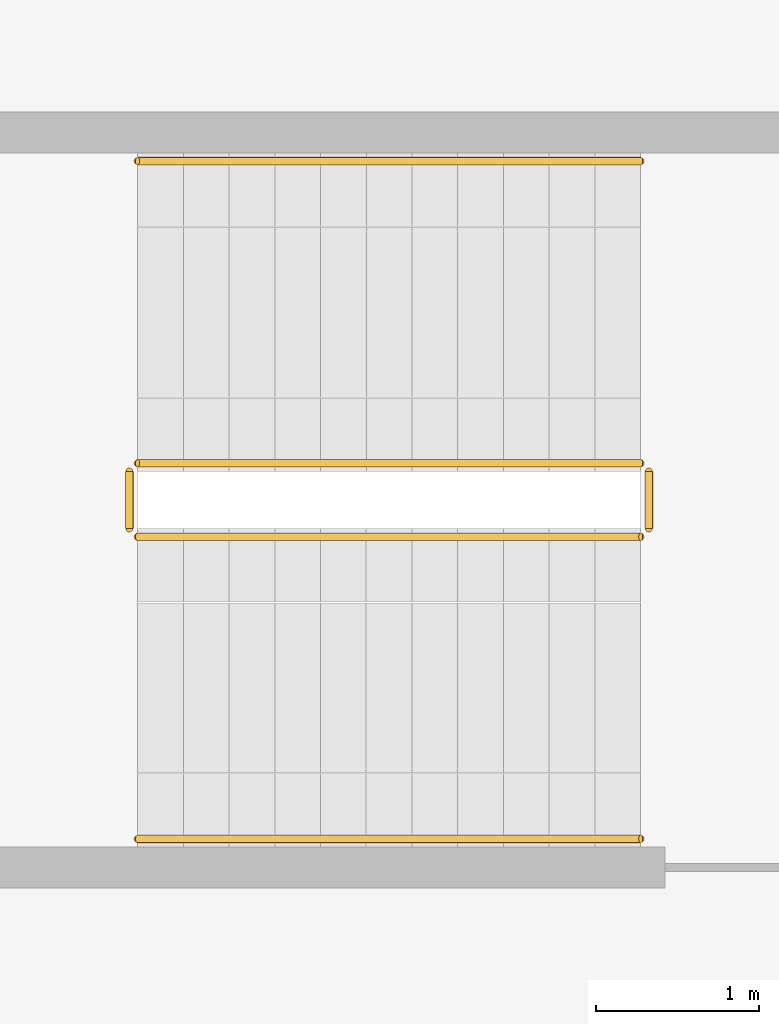
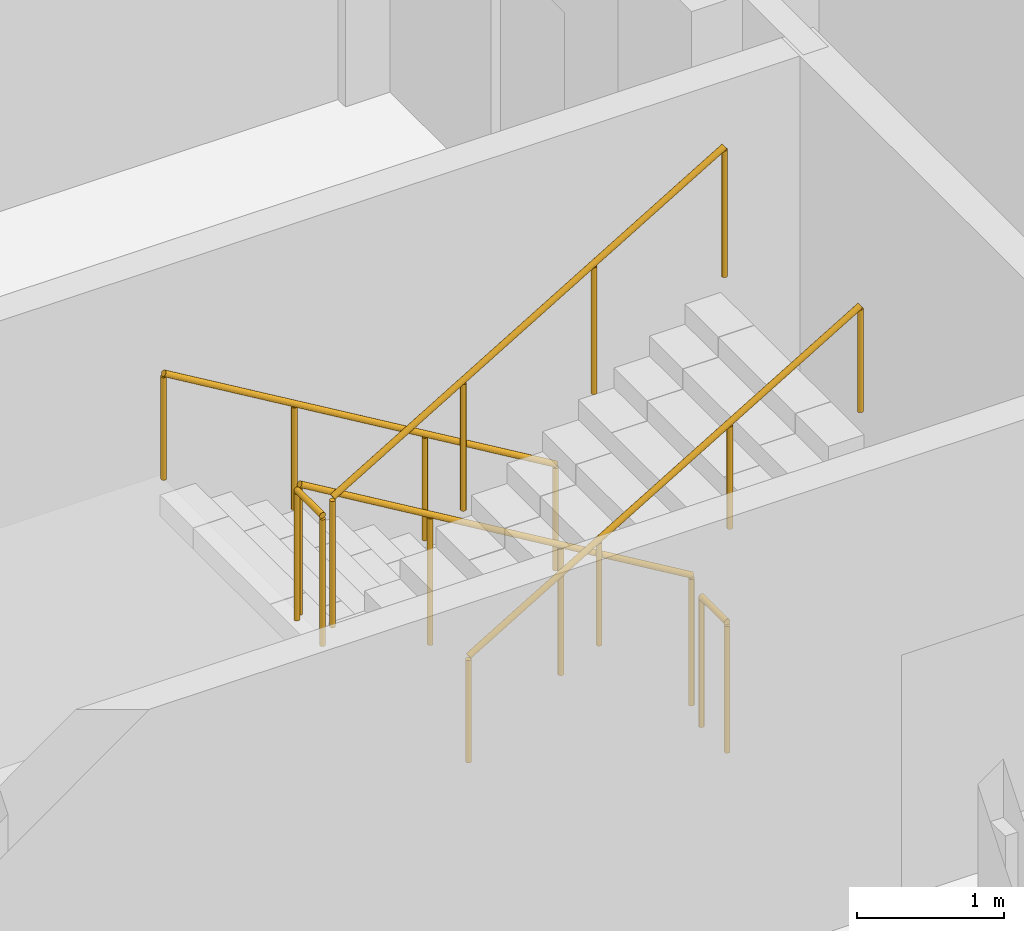
# One storey, part 15 of 15: 1 railing.
"""IFC4 building model written with IfcOpenShell, lengths in metres."""

from ifc_helpers import new_model, si_unit, direction, frame, origin, origin_2d, place, context, subcontext, project, spatial, circle, extrude, material, type_object, element, save


model = new_model("IFC4")

# Units and contexts
model_context = context("Model", 3, precision=1e-05, world=origin(), true_north=direction((0.0, 1.0)))
body_context = subcontext(model_context, "Body", "Model", "MODEL_VIEW")
ifc_project = project(units=[si_unit("LENGTHUNIT", "METRE"), si_unit("AREAUNIT", "SQUARE_METRE"), si_unit("VOLUMEUNIT", "CUBIC_METRE"), si_unit("PLANEANGLEUNIT", "RADIAN"), si_unit("MASSUNIT", "GRAM", prefix="KILO")], contexts=[model_context])

# Site, building, storey
site_placement = place(None, origin())
site = spatial("IfcSite", under=ifc_project, at=site_placement, CompositionType="ELEMENT")
building_placement = place(site_placement, origin())
building = spatial("IfcBuilding", under=site, at=building_placement, Name="Corbelhall Arena Tower", CompositionType="ELEMENT")
storey_placement = place(building_placement, frame((0.0, 0.0, 216.0)))
storey = spatial("IfcBuildingStorey", under=building, at=storey_placement, Name="L45", CompositionType="ELEMENT", Elevation=216.0)

# Railing
ifc_material = material(Name="Steel ASTM A500 Gr C", Category="steel")
railing_type = type_object("IfcRailingType", Name="IN-GD-1100", PredefinedType="GUARDRAIL", material=ifc_material)
railing_placement = place(storey_placement, frame((11.425048828125, 14.77490234375, 0.166748046875)))
element("IfcRailing", 1, at=railing_placement, inside=storey, type_object=railing_type, Name="L45 ST3 stair guards and handrails", PredefinedType="GUARDRAIL", context=body_context, shape_type="SweptSolid", body=[
    extrude(circle(Radius=0.02392578125, at=origin_2d()), frame((0.0, 0.0, 1.076171875), z_axis=(-0.859308565015, 0.0, 0.511457515432), x_axis=(0.0, -1.0, 0.0)), (0.0, 0.0, 1.0), 3.58447265625),
    extrude(circle(Radius=0.02392578125, at=origin_2d()), frame((-3.130126953125, -0.0498046875, 2.9091796875), z_axis=(0.0, -1.0, 0.0), x_axis=(1.0, 0.0, 0.0)), (0.0, 0.0, 1.0), 0.35009765625),
    extrude(circle(Radius=0.02392578125, at=origin_2d()), frame((-3.080078125, -0.449951171875, 3.076171875), z_axis=(0.859308565015, 0.0, 0.511457515432), x_axis=(0.0, 1.0, 0.0)), (0.0, 0.0, 1.0), 3.58447265625),
    extrude(circle(Radius=0.02392578125, at=origin_2d()), frame((0.050048828125, -0.0498046875, 0.9091796875), z_axis=(0.0, -1.0, 0.0), x_axis=(1.0, 0.0, 0.0)), (0.0, 0.0, 1.0), 0.35009765625),
    extrude(circle(Radius=0.02392578125, at=origin_2d()), frame((0.0, 1.85009765625, 0.8759765625), z_axis=(-0.859308565015, 0.0, 0.511457515432), x_axis=(0.0, -1.0, 0.0)), (0.0, 0.0, 1.0), 3.58447265625),
    extrude(circle(Radius=0.02392578125, at=origin_2d()), frame((-3.080078125, -2.2998046875, 2.8759765625), z_axis=(0.859308565015, 0.0, 0.511457515432), x_axis=(0.0, 1.0, 0.0)), (0.0, 0.0, 1.0), 3.58447265625),
    extrude(circle(Radius=0.02099609375, at=origin_2d()), origin(), (0.0, 0.0, 1.0), 1.052001953125),
    extrude(circle(Radius=0.02099609375, at=origin_2d()), frame((-1.026611328125, 0.0, 0.611083984375)), (0.0, 0.0, 1.0), 1.052001953125),
    extrude(circle(Radius=0.02099609375, at=origin_2d()), frame((-2.053466796875, 0.0, 1.22216796875)), (0.0, 0.0, 1.0), 1.052001953125),
    extrude(circle(Radius=0.02099609375, at=origin_2d()), frame((-3.080078125, 0.0, 1.833251953125)), (0.0, 0.0, 1.0), 1.052001953125),
    extrude(circle(Radius=0.02099609375, at=origin_2d()), frame((-3.130126953125, -0.0498046875, 1.833251953125)), (0.0, 0.0, 1.0), 1.052001953125),
    extrude(circle(Radius=0.02099609375, at=origin_2d()), frame((-3.130126953125, -0.39990234375, 1.833251953125)), (0.0, 0.0, 1.0), 1.052001953125),
    extrude(circle(Radius=0.02099609375, at=origin_2d()), frame((-3.080078125, -0.449951171875, 2.0)), (0.0, 0.0, 1.0), 1.052001953125),
    extrude(circle(Radius=0.02099609375, at=origin_2d()), frame((-2.053466796875, -0.449951171875, 2.611083984375)), (0.0, 0.0, 1.0), 1.052001953125),
    extrude(circle(Radius=0.02099609375, at=origin_2d()), frame((-1.026611328125, -0.449951171875, 3.22216796875)), (0.0, 0.0, 1.0), 1.052001953125),
    extrude(circle(Radius=0.02099609375, at=origin_2d()), frame((0.0, -0.449951171875, 3.833251953125)), (0.0, 0.0, 1.0), 1.052001953125),
    extrude(circle(Radius=0.02099609375, at=origin_2d()), frame((0.050048828125, -0.0498046875, -0.166748046875)), (0.0, 0.0, 1.0), 1.052001953125),
    extrude(circle(Radius=0.02099609375, at=origin_2d()), frame((0.050048828125, -0.39990234375, -0.166748046875)), (0.0, 0.0, 1.0), 1.052001953125),
    extrude(circle(Radius=0.02099609375, at=origin_2d()), frame((0.0, 1.85009765625, 0.0)), (0.0, 0.0, 1.0), 0.851806640625),
    extrude(circle(Radius=0.02099609375, at=origin_2d()), frame((-1.026611328125, 1.85009765625, 0.611083984375)), (0.0, 0.0, 1.0), 0.851806640625),
    extrude(circle(Radius=0.02099609375, at=origin_2d()), frame((-2.053466796875, 1.85009765625, 1.22216796875)), (0.0, 0.0, 1.0), 0.851806640625),
    extrude(circle(Radius=0.02099609375, at=origin_2d()), frame((-3.080078125, 1.85009765625, 1.833251953125)), (0.0, 0.0, 1.0), 0.851806640625),
    extrude(circle(Radius=0.02099609375, at=origin_2d()), frame((-3.080078125, -2.2998046875, 2.0)), (0.0, 0.0, 1.0), 0.851806640625),
    extrude(circle(Radius=0.02099609375, at=origin_2d()), frame((-2.053466796875, -2.2998046875, 2.611083984375)), (0.0, 0.0, 1.0), 0.851806640625),
    extrude(circle(Radius=0.02099609375, at=origin_2d()), frame((-1.026611328125, -2.2998046875, 3.22216796875)), (0.0, 0.0, 1.0), 0.851806640625),
    extrude(circle(Radius=0.02099609375, at=origin_2d()), frame((0.0, -2.2998046875, 3.833251953125)), (0.0, 0.0, 1.0), 0.851806640625),
])

save(model, "model.ifc")
